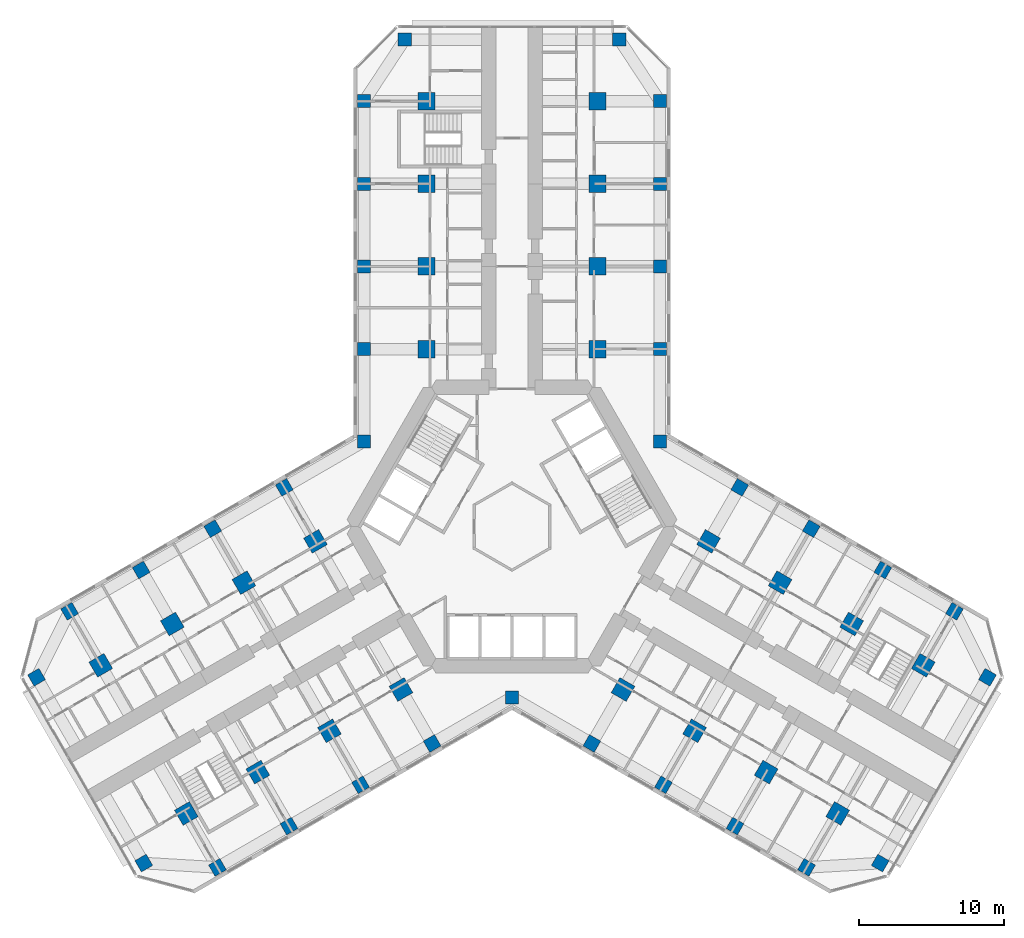
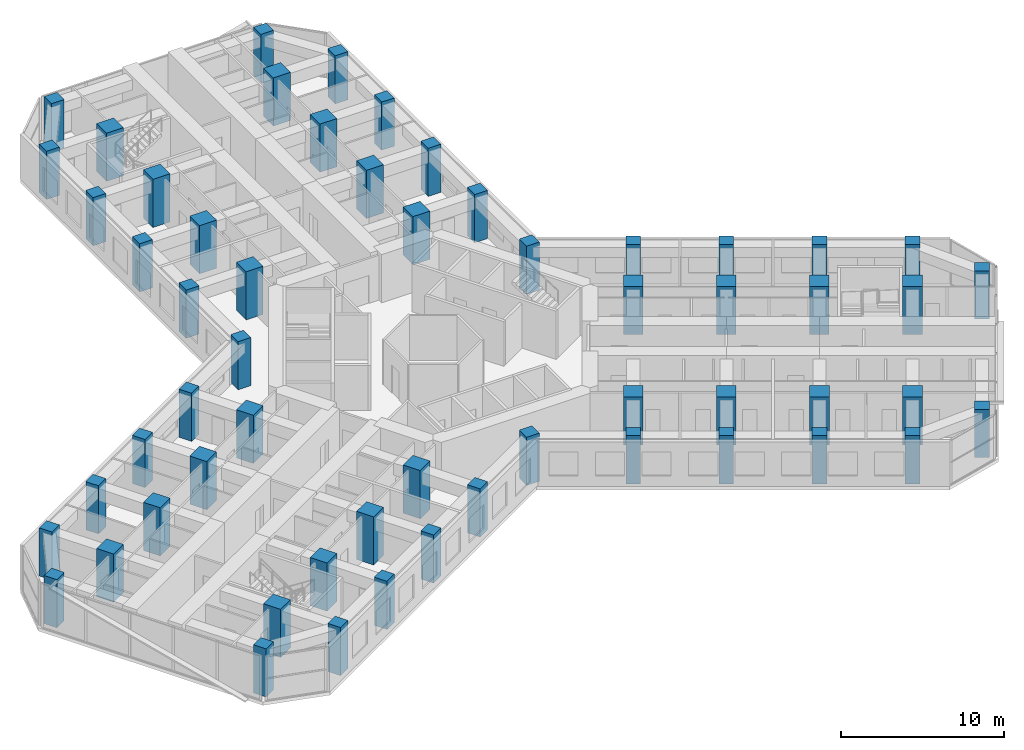
# One storey, part 1 of 21: 57 columns.
"""IFC4 building model written with IfcOpenShell, lengths in metres."""

from ifc_helpers import new_model, si_unit, direction, frame, origin, origin_2d, place, context, subcontext, project, spatial, rectangle, extrude, material, material_profile, profile_set, type_object, element, save


model = new_model("IFC4")

# Units and contexts
model_context = context("Model", 3, precision=1e-05, world=origin(), true_north=direction((0.0, 1.0)))
body_context = subcontext(model_context, "Body", "Model", "MODEL_VIEW")
ifc_project = project(units=[si_unit("LENGTHUNIT", "METRE"), si_unit("AREAUNIT", "SQUARE_METRE"), si_unit("VOLUMEUNIT", "CUBIC_METRE"), si_unit("PLANEANGLEUNIT", "RADIAN"), si_unit("MASSUNIT", "GRAM", prefix="KILO")], contexts=[model_context])

# Site, building, storey
site_placement = place(None, origin())
site = spatial("IfcSite", under=ifc_project, at=site_placement, CompositionType="ELEMENT")
building_placement = place(site_placement, origin())
building = spatial("IfcBuilding", under=site, at=building_placement, Name="Kosmar Iwan School Tower", CompositionType="ELEMENT")
storey_placement = place(building_placement, frame((0.0, 0.0, 102.39990234375)))
storey = spatial("IfcBuildingStorey", under=building, at=storey_placement, Name="L25", CompositionType="ELEMENT", Elevation=102.39990234375)

# Columns
ifc_material_1 = material(Name="Concrete C50/60", Category="concrete")
ifc_material_profile_1 = material_profile(ifc_material_1, rectangle(XDim=0.89990234375, YDim=0.89990234375, at=origin_2d()), Name="RC 900x900 + HD 400x634")
ifc_profile_set_1 = profile_set([ifc_material_profile_1], Name="Concrete C50/60")
column_type_1 = type_object("IfcColumnType", Name="Composite column 900x900 HD 400x634", PredefinedType="COLUMN", material=ifc_profile_set_1)
for number, where, z_axis, x_axis, name in (
    (1, (-10.199951171875, 12.25, 0.0), (0.0, 0.0, 1.0), (0.0, 1.0, 0.0), "Column AL1 L25"),
    (2, (-10.199951171875, 17.949951171875, 0.0), (0.0, 0.0, 1.0), (0.0, 1.0, 0.0), "Column AL2 L25"),
    (3, (-10.199951171875, 23.64990234375, 0.0), (0.0, 0.0, 1.0), (0.0, 1.0, 0.0), "Column AL3 L25"),
    (4, (-10.199951171875, 29.35009765625, 0.0), (0.0, 0.0, 1.0), (0.0, 1.0, 0.0), "Column AL4 L25"),
    (5, (-7.39990234375, 33.60009765625, 0.0), (0.0, 0.0, 1.0), (0.0, 1.0, 0.0), "Column ALTIP L25"),
    (6, (10.199951171875, 12.25, 0.0), (0.0, 0.0, 1.0), (0.0, 1.0, 0.0), "Column AR1 L25"),
    (7, (10.199951171875, 17.949951171875, 0.0), (0.0, 0.0, 1.0), (0.0, 1.0, 0.0), "Column AR2 L25"),
    (8, (10.199951171875, 23.64990234375, 0.0), (0.0, 0.0, 1.0), (0.0, 1.0, 0.0), "Column AR3 L25"),
    (9, (10.199951171875, 29.35009765625, 0.0), (0.0, 0.0, 1.0), (0.0, 1.0, 0.0), "Column AR4 L25"),
    (10, (7.39990234375, 33.60009765625, 0.0), (0.0, 0.0, 1.0), (0.0, 1.0, 0.0), "Column ARTIP L25"),
    (11, (-5.5087890625, -14.95849609375, 0.0), (0.0, 0.0, 1.0), (-0.866025403784, -0.5, 0.0), "Column BL1 L25"),
    (12, (-10.445068359375, -17.808349609375, 0.0), (0.0, 0.0, 1.0), (-0.866025403784, -0.5, 0.0), "Column BL2 L25"),
    (13, (-15.381591796875, -20.658447265625, 0.0), (0.0, 0.0, 1.0), (-0.866025403784, -0.5, 0.0), "Column BL3 L25"),
    (14, (-20.31787109375, -23.508544921875, 0.0), (0.0, 0.0, 1.0), (-0.866025403784, -0.5, 0.0), "Column BL4 L25"),
    (15, (-25.3984375, -23.20849609375, 0.0), (0.0, 0.0, 1.0), (-0.866025403784, -0.5, 0.0), "Column BLTIP L25"),
    (16, (-15.708740234375, 2.70849609375, 0.0), (0.0, 0.0, 1.0), (-0.866025403784, -0.5, 0.0), "Column BR1 L25"),
    (17, (-20.645263671875, -0.1416015625, 0.0), (0.0, 0.0, 1.0), (-0.866025403784, -0.5, 0.0), "Column BR2 L25"),
    (18, (-25.58154296875, -2.991455078125, 0.0), (0.0, 0.0, 1.0), (-0.866025403784, -0.5, 0.0), "Column BR3 L25"),
    (19, (-30.517822265625, -5.841552734375, 0.0), (0.0, 0.0, 1.0), (-0.866025403784, -0.5, 0.0), "Column BR4 L25"),
    (20, (-32.79833984375, -10.391357421875, 0.0), (0.0, 0.0, 1.0), (-0.866025403784, -0.5, 0.0), "Column BRTIP L25"),
    (21, (15.708740234375, 2.70849609375, 0.0), (0.0, 0.0, 1.0), (0.866025403784, -0.5, 0.0), "Column CL1 L25"),
    (22, (20.645263671875, -0.1416015625, 0.0), (0.0, 0.0, 1.0), (0.866025403784, -0.5, 0.0), "Column CL2 L25"),
    (23, (25.58154296875, -2.991455078125, 0.0), (0.0, 0.0, 1.0), (0.866025403784, -0.5, 0.0), "Column CL3 L25"),
    (24, (30.517822265625, -5.841552734375, 0.0), (0.0, 0.0, 1.0), (0.866025403784, -0.5, 0.0), "Column CL4 L25"),
    (25, (32.79833984375, -10.391357421875, 0.0), (0.0, 0.0, 1.0), (0.866025403784, -0.5, 0.0), "Column CLTIP L25"),
    (26, (5.5087890625, -14.95849609375, 0.0), (0.0, 0.0, 1.0), (0.866025403784, -0.5, 0.0), "Column CR1 L25"),
    (27, (10.445068359375, -17.808349609375, 0.0), (0.0, 0.0, 1.0), (0.866025403784, -0.5, 0.0), "Column CR2 L25"),
    (28, (15.381591796875, -20.658447265625, 0.0), (0.0, 0.0, 1.0), (0.866025403784, -0.5, 0.0), "Column CR3 L25"),
    (29, (20.31787109375, -23.508544921875, 0.0), (0.0, 0.0, 1.0), (0.866025403784, -0.5, 0.0), "Column CR4 L25"),
    (30, (25.3984375, -23.20849609375, 0.0), (0.0, 0.0, 1.0), (0.866025403784, -0.5, 0.0), "Column CRTIP L25"),
    (31, (-10.199951171875, 5.888916015625, 0.0), (0.0, 0.0, 1.0), (1.0, 0.0, 0.0), "Column RAB L25"),
    (32, (10.199951171875, 5.888916015625, 0.0), (0.0, 0.0, 1.0), (1.0, 0.0, 0.0), "Column RAC L25"),
    (33, (0.0, -11.77783203125, 0.0), (0.0, 0.0, 1.0), (1.0, 0.0, 0.0), "Column RBC L25"),
):
    element("IfcColumn", number, at=place(storey_placement, frame(where, z_axis=z_axis, x_axis=x_axis)), inside=storey, type_object=column_type_1, Name=name, PredefinedType="COLUMN", context=body_context, shape_type="SweptSolid", body=[
        extrude(rectangle(XDim=0.89990234375, YDim=0.89990234375, at=origin_2d()), origin(), (0.0, 0.0, 1.0), 3.60009765625),
    ])
ifc_material_2 = material(Name="Concrete C50/60", Category="concrete")
ifc_material_profile_2 = material_profile(ifc_material_2, rectangle(XDim=1.199951171875, YDim=1.199951171875, at=origin_2d()), Name="RC 1200x1200")
ifc_profile_set_2 = profile_set([ifc_material_profile_2], Name="Concrete C50/60")
column_type_2 = type_object("IfcColumnType", Name="RC interior column 1200x1200", PredefinedType="COLUMN", material=ifc_profile_set_2)
for number, where, z_axis, x_axis, name in (
    (34, (-5.89990234375, 12.25, 0.0), (0.0, 0.0, 1.0), (0.0, 1.0, 0.0), "Interior column ALI1 L25"),
    (35, (-5.89990234375, 17.949951171875, 0.0), (0.0, 0.0, 1.0), (0.0, 1.0, 0.0), "Interior column ALI2 L25"),
    (36, (-5.89990234375, 23.64990234375, 0.0), (0.0, 0.0, 1.0), (0.0, 1.0, 0.0), "Interior column ALI3 L25"),
    (37, (-5.89990234375, 29.35009765625, 0.0), (0.0, 0.0, 1.0), (0.0, 1.0, 0.0), "Interior column ALI4 L25"),
    (38, (5.89990234375, 12.25, 0.0), (0.0, 0.0, 1.0), (0.0, 1.0, 0.0), "Interior column ARI1 L25"),
    (39, (5.89990234375, 17.949951171875, 0.0), (0.0, 0.0, 1.0), (0.0, 1.0, 0.0), "Interior column ARI2 L25"),
    (40, (5.89990234375, 23.64990234375, 0.0), (0.0, 0.0, 1.0), (0.0, 1.0, 0.0), "Interior column ARI3 L25"),
    (41, (5.89990234375, 29.35009765625, 0.0), (0.0, 0.0, 1.0), (0.0, 1.0, 0.0), "Interior column ARI4 L25"),
    (42, (-7.65869140625, -11.234619140625, 0.0), (0.0, 0.0, 1.0), (-0.866025403784, -0.5, 0.0), "Interior column BLI1 L25"),
    (43, (-12.59521484375, -14.08447265625, 0.0), (0.0, 0.0, 1.0), (-0.866025403784, -0.5, 0.0), "Interior column BLI2 L25"),
    (44, (-17.531494140625, -16.9345703125, 0.0), (0.0, 0.0, 1.0), (-0.866025403784, -0.5, 0.0), "Interior column BLI3 L25"),
    (45, (-22.4677734375, -19.78466796875, 0.0), (0.0, 0.0, 1.0), (-0.866025403784, -0.5, 0.0), "Interior column BLI4 L25"),
    (46, (-13.558837890625, -1.015380859375, 0.0), (0.0, 0.0, 1.0), (-0.866025403784, -0.5, 0.0), "Interior column BRI1 L25"),
    (47, (-18.4951171875, -3.865478515625, 0.0), (0.0, 0.0, 1.0), (-0.866025403784, -0.5, 0.0), "Interior column BRI2 L25"),
    (48, (-23.431396484375, -6.71533203125, 0.0), (0.0, 0.0, 1.0), (-0.866025403784, -0.5, 0.0), "Interior column BRI3 L25"),
    (49, (-28.367919921875, -9.5654296875, 0.0), (0.0, 0.0, 1.0), (-0.866025403784, -0.5, 0.0), "Interior column BRI4 L25"),
    (50, (13.558837890625, -1.015380859375, 0.0), (0.0, 0.0, 1.0), (0.866025403784, -0.5, 0.0), "Interior column CLI1 L25"),
    (51, (18.4951171875, -3.865478515625, 0.0), (0.0, 0.0, 1.0), (0.866025403784, -0.5, 0.0), "Interior column CLI2 L25"),
    (52, (23.431396484375, -6.71533203125, 0.0), (0.0, 0.0, 1.0), (0.866025403784, -0.5, 0.0), "Interior column CLI3 L25"),
    (53, (28.367919921875, -9.5654296875, 0.0), (0.0, 0.0, 1.0), (0.866025403784, -0.5, 0.0), "Interior column CLI4 L25"),
    (54, (7.65869140625, -11.234619140625, 0.0), (0.0, 0.0, 1.0), (0.866025403784, -0.5, 0.0), "Interior column CRI1 L25"),
    (55, (12.59521484375, -14.08447265625, 0.0), (0.0, 0.0, 1.0), (0.866025403784, -0.5, 0.0), "Interior column CRI2 L25"),
    (56, (17.531494140625, -16.9345703125, 0.0), (0.0, 0.0, 1.0), (0.866025403784, -0.5, 0.0), "Interior column CRI3 L25"),
    (57, (22.4677734375, -19.78466796875, 0.0), (0.0, 0.0, 1.0), (0.866025403784, -0.5, 0.0), "Interior column CRI4 L25"),
):
    element("IfcColumn", number, at=place(storey_placement, frame(where, z_axis=z_axis, x_axis=x_axis)), inside=storey, type_object=column_type_2, Name=name, PredefinedType="COLUMN", context=body_context, shape_type="SweptSolid", body=[
        extrude(rectangle(XDim=1.199951171875, YDim=1.199951171875, at=origin_2d()), origin(), (0.0, 0.0, 1.0), 3.60009765625),
    ])

save(model, "model.ifc")
